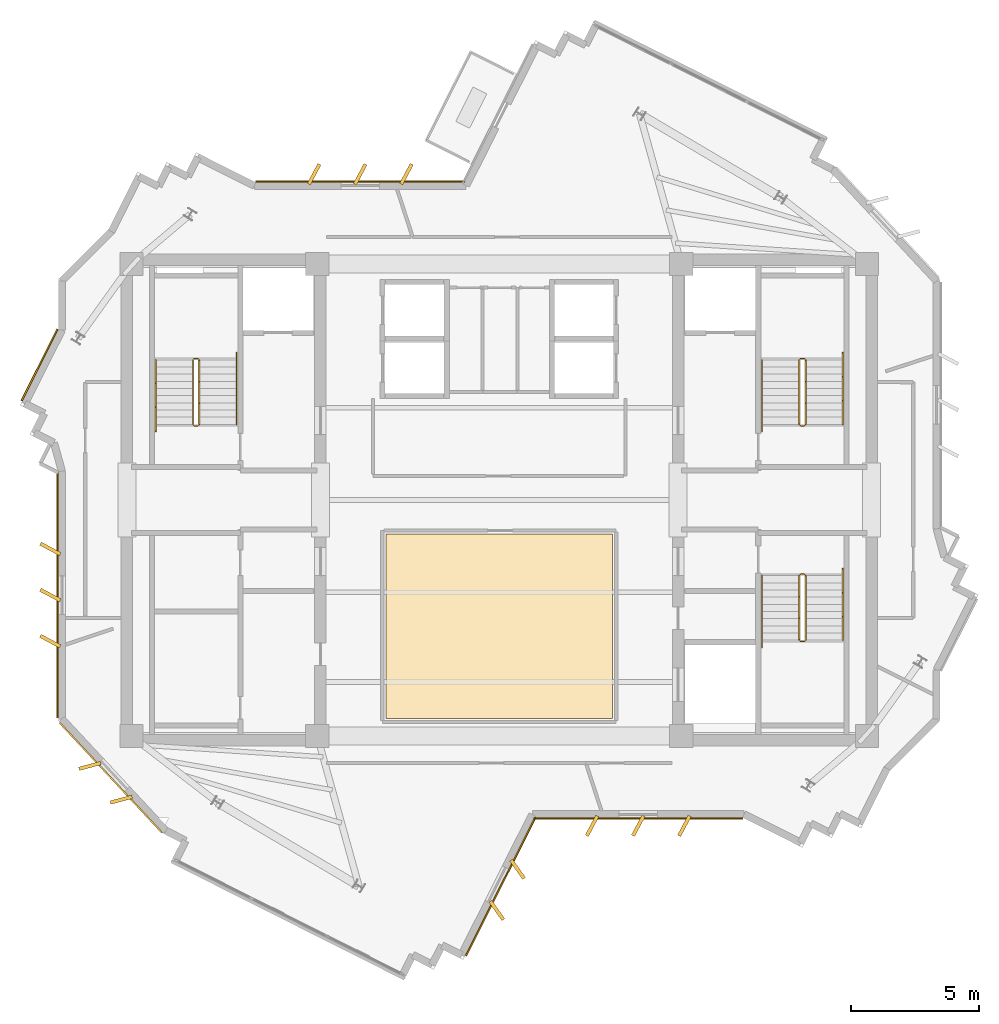
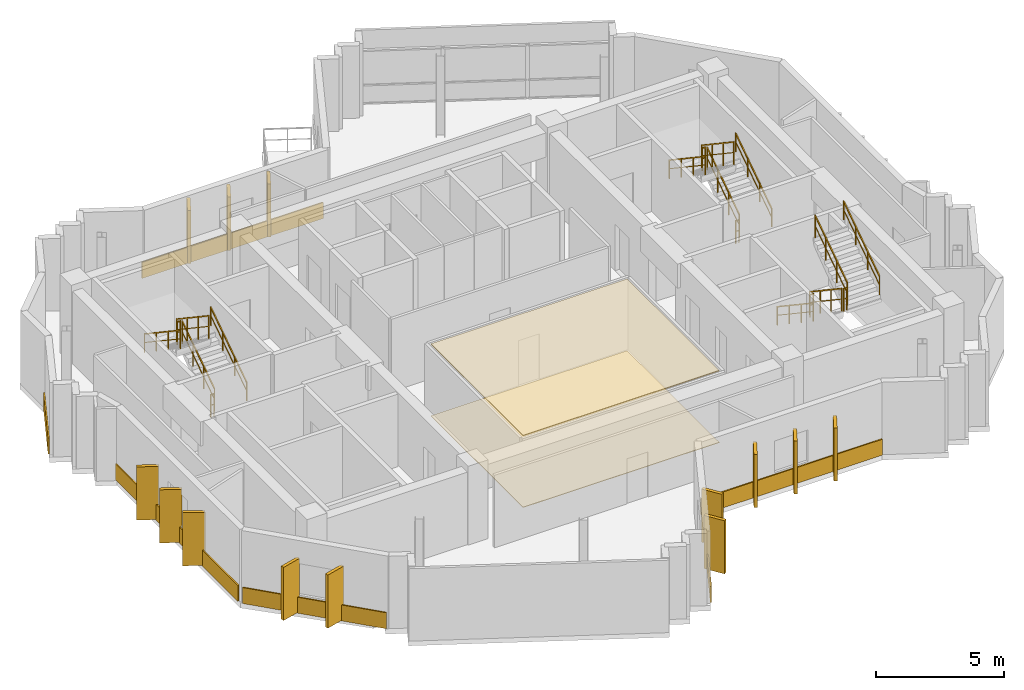
# One storey, part 10 of 11: 21 coverings, 18 railings.
"""IFC4 building model written with IfcOpenShell, lengths in metres."""

from ifc_helpers import new_model, si_unit, direction, frame, origin, origin_2d, place, context, subcontext, project, spatial, polyline, rectangle, outline, extrude, source, transform, mapped, material, layer, layer_set, type_object, element, save


model = new_model("IFC4")

# Units and contexts
model_context = context("Model", 3, precision=1e-05, world=origin(), true_north=direction((0.0, 1.0)))
body_context = subcontext(model_context, "Body", "Model", "MODEL_VIEW")
ifc_project = project(units=[si_unit("LENGTHUNIT", "METRE"), si_unit("AREAUNIT", "SQUARE_METRE"), si_unit("VOLUMEUNIT", "CUBIC_METRE"), si_unit("PLANEANGLEUNIT", "RADIAN"), si_unit("MASSUNIT", "GRAM", prefix="KILO")], contexts=[model_context])

# Site, building, storey
site_placement = place(None, origin())
site = spatial("IfcSite", under=ifc_project, at=site_placement, CompositionType="ELEMENT")
building_placement = place(site_placement, origin())
building = spatial("IfcBuilding", under=site, at=building_placement, Name="Zahravan Cultural Tower", CompositionType="ELEMENT")
storey_placement = place(building_placement, frame((0.0, 0.0, 357.300048828125)))
storey = spatial("IfcBuildingStorey", under=building, at=storey_placement, Name="L87", CompositionType="ELEMENT", Elevation=357.300048828125)

# Coverings
ifc_material_1 = material(Name="Acoustic mineral fibreboard")
ifc_layer_1 = layer(ifc_material_1, 0.0400390625)
ifc_layer_set_1 = layer_set([ifc_layer_1], Name="Acoustic mineral fibreboard")
covering_type_1 = type_object("IfcCoveringType", Name="COV-CEIL-AC20", PredefinedType="CEILING", material=ifc_layer_set_1)
covering_1_placement = place(storey_placement, frame((0.0, 0.0, 3.409912109375)))
element("IfcCovering", 1, at=covering_1_placement, inside=storey, type_object=covering_type_1, Name="L87 Acoustic Suspended Ceiling", PredefinedType="CEILING", context=body_context, shape_type="SweptSolid", body=[
    extrude(outline(polyline([(40.419921875, 25.669921875), (31.580078125, 25.669921875), (31.580078125, 18.47998046875), (40.419921875, 18.47998046875), (40.419921875, 25.669921875)])), origin(), (0.0, 0.0, 1.0), 0.0400390625),
])
ifc_material_2 = material(Name="Terrazzo flooring")
ifc_layer_2 = layer(ifc_material_2, 0.02490234375)
ifc_layer_set_2 = layer_set([ifc_layer_2], Name="Terrazzo flooring")
covering_type_2 = type_object("IfcCoveringType", Name="COV-FLR-TZ25", PredefinedType="FLOORING", material=ifc_layer_set_2)
covering_2_placement = place(storey_placement, origin())
element("IfcCovering", 2, at=covering_2_placement, inside=storey, type_object=covering_type_2, Name="L87 Polished Terrazzo Flooring", PredefinedType="FLOORING", context=body_context, shape_type="SweptSolid", body=[
    extrude(outline(polyline([(40.419921875, 25.669921875), (31.580078125, 25.669921875), (31.580078125, 18.47998046875), (40.419921875, 18.47998046875), (40.419921875, 25.669921875)])), origin(), (0.0, 0.0, 1.0), 0.02490234375),
])

# Railings
ifc_material_3 = material(Name="Steel ASTM A572 Grade 50", Category="steel")
railing_type_1 = type_object("IfcRailingType", Name="RL-STAIR-GRD1150", PredefinedType="BALUSTRADE", material=ifc_material_3)
railing_1_placement = place(storey_placement, frame((24.300048828125, 29.949951171875, 0.1875)))
element("IfcRailing", 3, at=railing_1_placement, inside=storey, type_object=railing_type_1, Name="L87 ST-W1 stair guard 1", PredefinedType="BALUSTRADE", context=body_context, shape_type="SweptSolid", body=[
    extrude(rectangle(XDim=0.05, YDim=0.05, at=origin_2d()), frame((0.0, 0.0, 1.0751953125), z_axis=(0.0, 0.830909170722, 0.55640807867), x_axis=(-1.0, 0.0, 0.0)), (0.0, 0.0, 1.0), 3.032958984375),
    extrude(rectangle(XDim=0.032, YDim=0.032, at=origin_2d()), frame((0.0, 0.0, 0.572021484375), z_axis=(0.0, 0.830909170722, 0.55640807867), x_axis=(-1.0, 0.0, 0.0)), (0.0, 0.0, 1.0), 3.032958984375),
    extrude(rectangle(XDim=0.04, YDim=0.04, at=origin_2d()), origin(), (0.0, 0.0, 1.0), 1.10009765625),
    extrude(rectangle(XDim=0.04, YDim=0.04, at=origin_2d()), frame((0.0, 0.840087890625, 0.5625)), (0.0, 0.0, 1.0), 1.10009765625),
    extrude(rectangle(XDim=0.04, YDim=0.04, at=origin_2d()), frame((0.0, 1.679931640625, 1.125)), (0.0, 0.0, 1.0), 1.10009765625),
    extrude(rectangle(XDim=0.04, YDim=0.04, at=origin_2d()), frame((0.0, 2.52001953125, 1.6875)), (0.0, 0.0, 1.0), 1.10009765625),
])
railing_2_placement = place(storey_placement, frame((24.25, 32.52001953125, 1.875)))
element("IfcRailing", 4, at=railing_2_placement, inside=storey, type_object=railing_type_1, Name="L87 ST-W1 stair guard 2", PredefinedType="BALUSTRADE", context=body_context, shape_type="SweptSolid", body=[
    extrude(rectangle(XDim=0.05, YDim=0.05, at=origin_2d()), frame((0.0, 0.0, 1.0751953125), z_axis=(-1.0, 0.0, 0.0), x_axis=(0.0, -1.0, 0.0)), (0.0, 0.0, 1.0), 0.14990234375),
    extrude(rectangle(XDim=0.032, YDim=0.032, at=origin_2d()), frame((0.0, 0.0, 0.572021484375), z_axis=(-1.0, 0.0, 0.0), x_axis=(0.0, -1.0, 0.0)), (0.0, 0.0, 1.0), 0.14990234375),
    extrude(rectangle(XDim=0.04, YDim=0.04, at=origin_2d()), origin(), (0.0, 0.0, 1.0), 1.10009765625),
    extrude(rectangle(XDim=0.04, YDim=0.04, at=origin_2d()), frame((-0.14990234375, 0.0, 0.0)), (0.0, 0.0, 1.0), 1.10009765625),
])
railing_3_placement = place(storey_placement, frame((24.050048828125, 32.469970703125, 2.0625)))
element("IfcRailing", 5, at=railing_3_placement, inside=storey, type_object=railing_type_1, Name="L87 ST-W1 stair guard 3", PredefinedType="BALUSTRADE", context=body_context, shape_type="SweptSolid", body=[
    extrude(rectangle(XDim=0.05, YDim=0.05, at=origin_2d()), frame((0.0, 0.0, 1.0751953125), z_axis=(0.0, -0.830909170722, 0.55640807867), x_axis=(1.0, 0.0, 0.0)), (0.0, 0.0, 1.0), 3.032958984375),
    extrude(rectangle(XDim=0.032, YDim=0.032, at=origin_2d()), frame((0.0, 0.0, 0.572021484375), z_axis=(0.0, -0.830909170722, 0.55640807867), x_axis=(1.0, 0.0, 0.0)), (0.0, 0.0, 1.0), 3.032958984375),
    extrude(rectangle(XDim=0.04, YDim=0.04, at=origin_2d()), origin(), (0.0, 0.0, 1.0), 1.10009765625),
    extrude(rectangle(XDim=0.04, YDim=0.04, at=origin_2d()), frame((0.0, -0.840087890625, 0.5625)), (0.0, 0.0, 1.0), 1.10009765625),
    extrude(rectangle(XDim=0.04, YDim=0.04, at=origin_2d()), frame((0.0, -1.679931640625, 1.125)), (0.0, 0.0, 1.0), 1.10009765625),
    extrude(rectangle(XDim=0.04, YDim=0.04, at=origin_2d()), frame((0.0, -2.52001953125, 1.6875)), (0.0, 0.0, 1.0), 1.10009765625),
])
railing_4_placement = place(storey_placement, frame((24.25, 29.89990234375, 0.0)))
element("IfcRailing", 6, at=railing_4_placement, inside=storey, type_object=railing_type_1, Name="L87 ST-W1 stair guard 4", PredefinedType="BALUSTRADE", context=body_context, shape_type="SweptSolid", body=[
    extrude(rectangle(XDim=0.05, YDim=0.05, at=origin_2d()), frame((0.0, 0.0, 1.0751953125), z_axis=(-1.0, 0.0, 0.0), x_axis=(0.0, -1.0, 0.0)), (0.0, 0.0, 1.0), 0.14990234375),
    extrude(rectangle(XDim=0.032, YDim=0.032, at=origin_2d()), frame((0.0, 0.0, 0.572021484375), z_axis=(-1.0, 0.0, 0.0), x_axis=(0.0, -1.0, 0.0)), (0.0, 0.0, 1.0), 0.14990234375),
    extrude(rectangle(XDim=0.04, YDim=0.04, at=origin_2d()), origin(), (0.0, 0.0, 1.0), 1.10009765625),
    extrude(rectangle(XDim=0.04, YDim=0.04, at=origin_2d()), frame((-0.14990234375, 0.0, 0.0)), (0.0, 0.0, 1.0), 1.10009765625),
])
railing_5_placement = place(storey_placement, frame((47.949951171875, 29.949951171875, 0.1875)))
element("IfcRailing", 7, at=railing_5_placement, inside=storey, type_object=railing_type_1, Name="L87 ST-E1 stair guard 1", PredefinedType="BALUSTRADE", context=body_context, shape_type="SweptSolid", body=[
    extrude(rectangle(XDim=0.05, YDim=0.05, at=origin_2d()), frame((0.0, 0.0, 1.0751953125), z_axis=(0.0, 0.830909170722, 0.55640807867), x_axis=(-1.0, 0.0, 0.0)), (0.0, 0.0, 1.0), 3.032958984375),
    extrude(rectangle(XDim=0.032, YDim=0.032, at=origin_2d()), frame((0.0, 0.0, 0.572021484375), z_axis=(0.0, 0.830909170722, 0.55640807867), x_axis=(-1.0, 0.0, 0.0)), (0.0, 0.0, 1.0), 3.032958984375),
    extrude(rectangle(XDim=0.04, YDim=0.04, at=origin_2d()), origin(), (0.0, 0.0, 1.0), 1.10009765625),
    extrude(rectangle(XDim=0.04, YDim=0.04, at=origin_2d()), frame((0.0, 0.840087890625, 0.5625)), (0.0, 0.0, 1.0), 1.10009765625),
    extrude(rectangle(XDim=0.04, YDim=0.04, at=origin_2d()), frame((0.0, 1.679931640625, 1.125)), (0.0, 0.0, 1.0), 1.10009765625),
    extrude(rectangle(XDim=0.04, YDim=0.04, at=origin_2d()), frame((0.0, 2.52001953125, 1.6875)), (0.0, 0.0, 1.0), 1.10009765625),
])
railing_6_placement = place(storey_placement, frame((47.89990234375, 32.52001953125, 1.875)))
element("IfcRailing", 8, at=railing_6_placement, inside=storey, type_object=railing_type_1, Name="L87 ST-E1 stair guard 2", PredefinedType="BALUSTRADE", context=body_context, shape_type="SweptSolid", body=[
    extrude(rectangle(XDim=0.05, YDim=0.05, at=origin_2d()), frame((0.0, 0.0, 1.0751953125), z_axis=(-1.0, 0.0, 0.0), x_axis=(0.0, -1.0, 0.0)), (0.0, 0.0, 1.0), 0.14990234375),
    extrude(rectangle(XDim=0.032, YDim=0.032, at=origin_2d()), frame((0.0, 0.0, 0.572021484375), z_axis=(-1.0, 0.0, 0.0), x_axis=(0.0, -1.0, 0.0)), (0.0, 0.0, 1.0), 0.14990234375),
    extrude(rectangle(XDim=0.04, YDim=0.04, at=origin_2d()), origin(), (0.0, 0.0, 1.0), 1.10009765625),
    extrude(rectangle(XDim=0.04, YDim=0.04, at=origin_2d()), frame((-0.14990234375, 0.0, 0.0)), (0.0, 0.0, 1.0), 1.10009765625),
])
railing_7_placement = place(storey_placement, frame((47.699951171875, 32.469970703125, 2.0625)))
element("IfcRailing", 9, at=railing_7_placement, inside=storey, type_object=railing_type_1, Name="L87 ST-E1 stair guard 3", PredefinedType="BALUSTRADE", context=body_context, shape_type="SweptSolid", body=[
    extrude(rectangle(XDim=0.05, YDim=0.05, at=origin_2d()), frame((0.0, 0.0, 1.0751953125), z_axis=(0.0, -0.830909170722, 0.55640807867), x_axis=(1.0, 0.0, 0.0)), (0.0, 0.0, 1.0), 3.032958984375),
    extrude(rectangle(XDim=0.032, YDim=0.032, at=origin_2d()), frame((0.0, 0.0, 0.572021484375), z_axis=(0.0, -0.830909170722, 0.55640807867), x_axis=(1.0, 0.0, 0.0)), (0.0, 0.0, 1.0), 3.032958984375),
    extrude(rectangle(XDim=0.04, YDim=0.04, at=origin_2d()), origin(), (0.0, 0.0, 1.0), 1.10009765625),
    extrude(rectangle(XDim=0.04, YDim=0.04, at=origin_2d()), frame((0.0, -0.840087890625, 0.5625)), (0.0, 0.0, 1.0), 1.10009765625),
    extrude(rectangle(XDim=0.04, YDim=0.04, at=origin_2d()), frame((0.0, -1.679931640625, 1.125)), (0.0, 0.0, 1.0), 1.10009765625),
    extrude(rectangle(XDim=0.04, YDim=0.04, at=origin_2d()), frame((0.0, -2.52001953125, 1.6875)), (0.0, 0.0, 1.0), 1.10009765625),
])
railing_8_placement = place(storey_placement, frame((47.89990234375, 29.89990234375, 0.0)))
element("IfcRailing", 10, at=railing_8_placement, inside=storey, type_object=railing_type_1, Name="L87 ST-E1 stair guard 4", PredefinedType="BALUSTRADE", context=body_context, shape_type="SweptSolid", body=[
    extrude(rectangle(XDim=0.05, YDim=0.05, at=origin_2d()), frame((0.0, 0.0, 1.0751953125), z_axis=(-1.0, 0.0, 0.0), x_axis=(0.0, -1.0, 0.0)), (0.0, 0.0, 1.0), 0.14990234375),
    extrude(rectangle(XDim=0.032, YDim=0.032, at=origin_2d()), frame((0.0, 0.0, 0.572021484375), z_axis=(-1.0, 0.0, 0.0), x_axis=(0.0, -1.0, 0.0)), (0.0, 0.0, 1.0), 0.14990234375),
    extrude(rectangle(XDim=0.04, YDim=0.04, at=origin_2d()), origin(), (0.0, 0.0, 1.0), 1.10009765625),
    extrude(rectangle(XDim=0.04, YDim=0.04, at=origin_2d()), frame((-0.14990234375, 0.0, 0.0)), (0.0, 0.0, 1.0), 1.10009765625),
])
railing_9_placement = place(storey_placement, frame((47.699951171875, 24.050048828125, 0.1875)))
element("IfcRailing", 11, at=railing_9_placement, inside=storey, type_object=railing_type_1, Name="L87 ST-E2 stair guard 1", PredefinedType="BALUSTRADE", context=body_context, shape_type="SweptSolid", body=[
    extrude(rectangle(XDim=0.05, YDim=0.05, at=origin_2d()), frame((0.0, 0.0, 1.0751953125), z_axis=(0.0, -0.830909170722, 0.55640807867), x_axis=(1.0, 0.0, 0.0)), (0.0, 0.0, 1.0), 3.032958984375),
    extrude(rectangle(XDim=0.032, YDim=0.032, at=origin_2d()), frame((0.0, 0.0, 0.572021484375), z_axis=(0.0, -0.830909170722, 0.55640807867), x_axis=(1.0, 0.0, 0.0)), (0.0, 0.0, 1.0), 3.032958984375),
    extrude(rectangle(XDim=0.04, YDim=0.04, at=origin_2d()), origin(), (0.0, 0.0, 1.0), 1.10009765625),
    extrude(rectangle(XDim=0.04, YDim=0.04, at=origin_2d()), frame((0.0, -0.840087890625, 0.5625)), (0.0, 0.0, 1.0), 1.10009765625),
    extrude(rectangle(XDim=0.04, YDim=0.04, at=origin_2d()), frame((0.0, -1.679931640625, 1.125)), (0.0, 0.0, 1.0), 1.10009765625),
    extrude(rectangle(XDim=0.04, YDim=0.04, at=origin_2d()), frame((0.0, -2.52001953125, 1.6875)), (0.0, 0.0, 1.0), 1.10009765625),
])
railing_10_placement = place(storey_placement, frame((47.75, 21.47998046875, 1.875)))
element("IfcRailing", 12, at=railing_10_placement, inside=storey, type_object=railing_type_1, Name="L87 ST-E2 stair guard 2", PredefinedType="BALUSTRADE", context=body_context, shape_type="SweptSolid", body=[
    extrude(rectangle(XDim=0.05, YDim=0.05, at=origin_2d()), frame((0.0, 0.0, 1.0751953125), z_axis=(1.0, 0.0, 0.0), x_axis=(0.0, 1.0, 0.0)), (0.0, 0.0, 1.0), 0.14990234375),
    extrude(rectangle(XDim=0.032, YDim=0.032, at=origin_2d()), frame((0.0, 0.0, 0.572021484375), z_axis=(1.0, 0.0, 0.0), x_axis=(0.0, 1.0, 0.0)), (0.0, 0.0, 1.0), 0.14990234375),
    extrude(rectangle(XDim=0.04, YDim=0.04, at=origin_2d()), origin(), (0.0, 0.0, 1.0), 1.10009765625),
    extrude(rectangle(XDim=0.04, YDim=0.04, at=origin_2d()), frame((0.14990234375, 0.0, 0.0)), (0.0, 0.0, 1.0), 1.10009765625),
])
railing_11_placement = place(storey_placement, frame((47.949951171875, 21.530029296875, 2.0625)))
element("IfcRailing", 13, at=railing_11_placement, inside=storey, type_object=railing_type_1, Name="L87 ST-E2 stair guard 3", PredefinedType="BALUSTRADE", context=body_context, shape_type="SweptSolid", body=[
    extrude(rectangle(XDim=0.05, YDim=0.05, at=origin_2d()), frame((0.0, 0.0, 1.0751953125), z_axis=(0.0, 0.830909170722, 0.55640807867), x_axis=(-1.0, 0.0, 0.0)), (0.0, 0.0, 1.0), 3.032958984375),
    extrude(rectangle(XDim=0.032, YDim=0.032, at=origin_2d()), frame((0.0, 0.0, 0.572021484375), z_axis=(0.0, 0.830909170722, 0.55640807867), x_axis=(-1.0, 0.0, 0.0)), (0.0, 0.0, 1.0), 3.032958984375),
    extrude(rectangle(XDim=0.04, YDim=0.04, at=origin_2d()), origin(), (0.0, 0.0, 1.0), 1.10009765625),
    extrude(rectangle(XDim=0.04, YDim=0.04, at=origin_2d()), frame((0.0, 0.840087890625, 0.5625)), (0.0, 0.0, 1.0), 1.10009765625),
    extrude(rectangle(XDim=0.04, YDim=0.04, at=origin_2d()), frame((0.0, 1.679931640625, 1.125)), (0.0, 0.0, 1.0), 1.10009765625),
    extrude(rectangle(XDim=0.04, YDim=0.04, at=origin_2d()), frame((0.0, 2.52001953125, 1.6875)), (0.0, 0.0, 1.0), 1.10009765625),
])
railing_12_placement = place(storey_placement, frame((47.75, 24.10009765625, 0.0)))
element("IfcRailing", 14, at=railing_12_placement, inside=storey, type_object=railing_type_1, Name="L87 ST-E2 stair guard 4", PredefinedType="BALUSTRADE", context=body_context, shape_type="SweptSolid", body=[
    extrude(rectangle(XDim=0.05, YDim=0.05, at=origin_2d()), frame((0.0, 0.0, 1.0751953125), z_axis=(1.0, 0.0, 0.0), x_axis=(0.0, 1.0, 0.0)), (0.0, 0.0, 1.0), 0.14990234375),
    extrude(rectangle(XDim=0.032, YDim=0.032, at=origin_2d()), frame((0.0, 0.0, 0.572021484375), z_axis=(1.0, 0.0, 0.0), x_axis=(0.0, 1.0, 0.0)), (0.0, 0.0, 1.0), 0.14990234375),
    extrude(rectangle(XDim=0.04, YDim=0.04, at=origin_2d()), origin(), (0.0, 0.0, 1.0), 1.10009765625),
    extrude(rectangle(XDim=0.04, YDim=0.04, at=origin_2d()), frame((0.14990234375, 0.0, 0.0)), (0.0, 0.0, 1.0), 1.10009765625),
])
railing_type_2 = type_object("IfcRailingType", Name="RL-STAIR-HR900", PredefinedType="HANDRAIL", material=ifc_material_3)
railing_13_placement = place(storey_placement, frame((25.75, 29.949951171875, 0.1875)))
element("IfcRailing", 15, at=railing_13_placement, inside=storey, type_object=railing_type_2, Name="L87 ST-W1 stair handrail 1", PredefinedType="HANDRAIL", context=body_context, shape_type="SweptSolid", body=[
    extrude(rectangle(XDim=0.05, YDim=0.05, at=origin_2d()), frame((0.0, 0.0, 0.875), z_axis=(0.0, 0.830911662861, 0.55640435703), x_axis=(-1.0, 0.0, 0.0)), (0.0, 0.0, 1.0), 3.369873046875),
    extrude(rectangle(XDim=0.032, YDim=0.032, at=origin_2d()), frame((0.0, 0.0, 0.468017578125), z_axis=(0.0, 0.830911662861, 0.55640435703), x_axis=(-1.0, 0.0, 0.0)), (0.0, 0.0, 1.0), 3.369873046875),
    extrude(rectangle(XDim=0.04, YDim=0.04, at=origin_2d()), origin(), (0.0, 0.0, 1.0), 0.89990234375),
    extrude(rectangle(XDim=0.04, YDim=0.04, at=origin_2d()), frame((0.0, 0.933349609375, 0.625)), (0.0, 0.0, 1.0), 0.89990234375),
    extrude(rectangle(XDim=0.04, YDim=0.04, at=origin_2d()), frame((0.0, 1.86669921875, 1.25)), (0.0, 0.0, 1.0), 0.89990234375),
    extrude(rectangle(XDim=0.04, YDim=0.04, at=origin_2d()), frame((0.0, 2.800048828125, 1.875)), (0.0, 0.0, 1.0), 0.89990234375),
])
railing_14_placement = place(storey_placement, frame((22.60009765625, 32.469970703125, 2.0625)))
element("IfcRailing", 16, at=railing_14_placement, inside=storey, type_object=railing_type_2, Name="L87 ST-W1 stair handrail 2", PredefinedType="HANDRAIL", context=body_context, shape_type="SweptSolid", body=[
    extrude(rectangle(XDim=0.05, YDim=0.05, at=origin_2d()), frame((0.0, 0.0, 0.875), z_axis=(0.0, -0.830911662861, 0.55640435703), x_axis=(1.0, 0.0, 0.0)), (0.0, 0.0, 1.0), 3.369873046875),
    extrude(rectangle(XDim=0.032, YDim=0.032, at=origin_2d()), frame((0.0, 0.0, 0.468017578125), z_axis=(0.0, -0.830911662861, 0.55640435703), x_axis=(1.0, 0.0, 0.0)), (0.0, 0.0, 1.0), 3.369873046875),
    extrude(rectangle(XDim=0.04, YDim=0.04, at=origin_2d()), origin(), (0.0, 0.0, 1.0), 0.89990234375),
    extrude(rectangle(XDim=0.04, YDim=0.04, at=origin_2d()), frame((0.0, -0.933349609375, 0.625)), (0.0, 0.0, 1.0), 0.89990234375),
    extrude(rectangle(XDim=0.04, YDim=0.04, at=origin_2d()), frame((0.0, -1.86669921875, 1.25)), (0.0, 0.0, 1.0), 0.89990234375),
    extrude(rectangle(XDim=0.04, YDim=0.04, at=origin_2d()), frame((0.0, -2.800048828125, 1.875)), (0.0, 0.0, 1.0), 0.89990234375),
])
railing_15_placement = place(storey_placement, frame((49.39990234375, 29.949951171875, 0.1875)))
element("IfcRailing", 17, at=railing_15_placement, inside=storey, type_object=railing_type_2, Name="L87 ST-E1 stair handrail 1", PredefinedType="HANDRAIL", context=body_context, shape_type="SweptSolid", body=[
    extrude(rectangle(XDim=0.05, YDim=0.05, at=origin_2d()), frame((0.0, 0.0, 0.875), z_axis=(0.0, 0.830911662861, 0.55640435703), x_axis=(-1.0, 0.0, 0.0)), (0.0, 0.0, 1.0), 3.369873046875),
    extrude(rectangle(XDim=0.032, YDim=0.032, at=origin_2d()), frame((0.0, 0.0, 0.468017578125), z_axis=(0.0, 0.830911662861, 0.55640435703), x_axis=(-1.0, 0.0, 0.0)), (0.0, 0.0, 1.0), 3.369873046875),
    extrude(rectangle(XDim=0.04, YDim=0.04, at=origin_2d()), origin(), (0.0, 0.0, 1.0), 0.89990234375),
    extrude(rectangle(XDim=0.04, YDim=0.04, at=origin_2d()), frame((0.0, 0.933349609375, 0.625)), (0.0, 0.0, 1.0), 0.89990234375),
    extrude(rectangle(XDim=0.04, YDim=0.04, at=origin_2d()), frame((0.0, 1.86669921875, 1.25)), (0.0, 0.0, 1.0), 0.89990234375),
    extrude(rectangle(XDim=0.04, YDim=0.04, at=origin_2d()), frame((0.0, 2.800048828125, 1.875)), (0.0, 0.0, 1.0), 0.89990234375),
])
for number, where, name in (
    (18, (46.25, 32.469970703125, 2.0625), "L87 ST-E1 stair handrail 2"),
    (19, (46.25, 24.050048828125, 0.1875), "L87 ST-E2 stair handrail 1"),
):
    element("IfcRailing", number, at=place(storey_placement, frame(where)), inside=storey, type_object=railing_type_2, Name=name, PredefinedType="HANDRAIL", context=body_context, shape_type="SweptSolid", body=[
        extrude(rectangle(XDim=0.05, YDim=0.05, at=origin_2d()), frame((0.0, 0.0, 0.875), z_axis=(0.0, -0.830911662861, 0.55640435703), x_axis=(1.0, 0.0, 0.0)), (0.0, 0.0, 1.0), 3.369873046875),
        extrude(rectangle(XDim=0.032, YDim=0.032, at=origin_2d()), frame((0.0, 0.0, 0.468017578125), z_axis=(0.0, -0.830911662861, 0.55640435703), x_axis=(1.0, 0.0, 0.0)), (0.0, 0.0, 1.0), 3.369873046875),
        extrude(rectangle(XDim=0.04, YDim=0.04, at=origin_2d()), origin(), (0.0, 0.0, 1.0), 0.89990234375),
        extrude(rectangle(XDim=0.04, YDim=0.04, at=origin_2d()), frame((0.0, -0.933349609375, 0.625)), (0.0, 0.0, 1.0), 0.89990234375),
        extrude(rectangle(XDim=0.04, YDim=0.04, at=origin_2d()), frame((0.0, -1.86669921875, 1.25)), (0.0, 0.0, 1.0), 0.89990234375),
        extrude(rectangle(XDim=0.04, YDim=0.04, at=origin_2d()), frame((0.0, -2.800048828125, 1.875)), (0.0, 0.0, 1.0), 0.89990234375),
    ])
railing_16_placement = place(storey_placement, frame((49.39990234375, 21.530029296875, 2.0625)))
element("IfcRailing", 20, at=railing_16_placement, inside=storey, type_object=railing_type_2, Name="L87 ST-E2 stair handrail 2", PredefinedType="HANDRAIL", context=body_context, shape_type="SweptSolid", body=[
    extrude(rectangle(XDim=0.05, YDim=0.05, at=origin_2d()), frame((0.0, 0.0, 0.875), z_axis=(0.0, 0.830911662861, 0.55640435703), x_axis=(-1.0, 0.0, 0.0)), (0.0, 0.0, 1.0), 3.369873046875),
    extrude(rectangle(XDim=0.032, YDim=0.032, at=origin_2d()), frame((0.0, 0.0, 0.468017578125), z_axis=(0.0, 0.830911662861, 0.55640435703), x_axis=(-1.0, 0.0, 0.0)), (0.0, 0.0, 1.0), 3.369873046875),
    extrude(rectangle(XDim=0.04, YDim=0.04, at=origin_2d()), origin(), (0.0, 0.0, 1.0), 0.89990234375),
    extrude(rectangle(XDim=0.04, YDim=0.04, at=origin_2d()), frame((0.0, 0.933349609375, 0.625)), (0.0, 0.0, 1.0), 0.89990234375),
    extrude(rectangle(XDim=0.04, YDim=0.04, at=origin_2d()), frame((0.0, 1.86669921875, 1.25)), (0.0, 0.0, 1.0), 0.89990234375),
    extrude(rectangle(XDim=0.04, YDim=0.04, at=origin_2d()), frame((0.0, 2.800048828125, 1.875)), (0.0, 0.0, 1.0), 0.89990234375),
])

# Coverings
ifc_material_4 = material(Name="Terracotta ceramic cladding", Category="masonry")
ifc_layer_3 = layer(ifc_material_4, 0.06005859375)
ifc_layer_set_3 = layer_set([ifc_layer_3], Name="Terracotta ceramic cladding")
covering_type_3 = type_object("IfcCoveringType", Name="COV-CLAD-TC60", PredefinedType="CLADDING", material=ifc_layer_set_3)
shared_shape_1 = source(origin(), body_context, "Body", "SweptSolid", [
    extrude(rectangle(XDim=0.8798828125, YDim=0.139892578125, at=origin_2d()), origin(), (0.0, 0.0, 1.0), 2.530029296875),
])
for number, where, z_axis, x_axis, name in (
    (21, (43.22119140625, 14.2900390625, 0.0498046875), (0.0, 0.0, 1.0), (-0.469471562786, -0.882947592859, 0.0), "L87 Herringbone Terracotta Fin 06"),
    (22, (41.42138671875, 14.2900390625, 0.0498046875), (0.0, 0.0, 1.0), (-0.469471562786, -0.882947592859, 0.0), "L87 Herringbone Terracotta Fin 07"),
    (23, (39.621337890625, 14.2900390625, 0.0498046875), (0.0, 0.0, 1.0), (-0.469471562786, -0.882947592859, 0.0), "L87 Herringbone Terracotta Fin 08"),
    (24, (36.71435546875, 12.596435546875, 0.0498046875), (0.0, 0.0, 1.0), (0.577843380007, -0.816147675474, 0.0), "L87 Herringbone Terracotta Fin 09"),
    (25, (35.905517578125, 10.98828125, 0.0498046875), (0.0, 0.0, 1.0), (0.577843380007, -0.816147675474, 0.0), "L87 Herringbone Terracotta Fin 10"),
    (26, (21.256591796875, 15.31005859375, 0.0498046875), (0.0, 0.0, 1.0), (-0.966110785991, -0.25812777687, 0.0), "L87 Herringbone Terracotta Fin 11"),
    (27, (20.02978515625, 16.627197265625, 0.0498046875), (0.0, 0.0, 1.0), (-0.966110785991, -0.25812777687, 0.0), "L87 Herringbone Terracotta Fin 12"),
    (28, (18.489990234375, 21.49169921875, 0.0498046875), (0.0, 0.0, 1.0), (-0.882947592859, 0.469471562786, 0.0), "L87 Herringbone Terracotta Fin 13"),
    (29, (18.489990234375, 23.291748046875, 0.0498046875), (0.0, 0.0, 1.0), (-0.882947592859, 0.469471562786, 0.0), "L87 Herringbone Terracotta Fin 14"),
    (30, (18.489990234375, 25.091796875, 0.0498046875), (0.0, 0.0, 1.0), (-0.882947592859, 0.469471562786, 0.0), "L87 Herringbone Terracotta Fin 15"),
    (31, (28.77880859375, 39.7099609375, 0.0498046875), (0.0, 0.0, 1.0), (0.469471562786, 0.882947592859, 0.0), "L87 Herringbone Terracotta Fin 16"),
    (32, (30.57861328125, 39.7099609375, 0.0498046875), (0.0, 0.0, 1.0), (0.469471562786, 0.882947592859, 0.0), "L87 Herringbone Terracotta Fin 17"),
    (33, (32.378662109375, 39.7099609375, 0.0498046875), (0.0, 0.0, 1.0), (0.469471562786, 0.882947592859, 0.0), "L87 Herringbone Terracotta Fin 18"),
):
    element("IfcCovering", number, at=place(storey_placement, frame(where, z_axis=z_axis, x_axis=x_axis)), inside=storey, type_object=covering_type_3, Name=name, PredefinedType="CLADDING", context=body_context, shape_type="MappedRepresentation", body=[
        mapped(shared_shape_1, transform((0.0, 0.0, 0.0), x_axis=(1.0, 0.0, 0.0), y_axis=(0.0, 1.0, 0.0), z_axis=(0.0, 0.0, 1.0), scale=1.0)),
    ])
shared_shape_2 = source(origin(), body_context, "Body", "SweptSolid", [
    extrude(rectangle(XDim=6.04638671875, YDim=0.06005859375, at=origin_2d()), origin(), (0.0, 0.0, 1.0), 0.760009765625),
])
covering_3_placement = place(storey_placement, frame((36.055419921875, 11.92041015625, 0.02001953125), z_axis=(0.0, 0.0, 1.0), x_axis=(-0.44933459082, -0.893363546096, 0.0)))
element("IfcCovering", 34, at=covering_3_placement, inside=storey, type_object=covering_type_3, Name="L87 Terracotta Spandrel Cladding 24", PredefinedType="CLADDING", context=body_context, shape_type="MappedRepresentation", body=[
    mapped(shared_shape_2, transform((0.0, 0.0, 0.0), x_axis=(1.0, 0.0, 0.0), y_axis=(0.0, 1.0, 0.0), z_axis=(0.0, 0.0, 1.0), scale=1.0)),
])
shared_shape_3 = source(origin(), body_context, "Body", "SweptSolid", [
    extrude(rectangle(XDim=5.86474609375, YDim=0.06005859375, at=origin_2d()), origin(), (0.0, 0.0, 1.0), 0.760009765625),
])
covering_4_placement = place(storey_placement, frame((20.851806640625, 16.162841796875, 0.02001953125), z_axis=(0.0, 0.0, 1.0), x_axis=(-0.681474839761, 0.73184154212, 0.0)))
element("IfcCovering", 35, at=covering_4_placement, inside=storey, type_object=covering_type_3, Name="L87 Terracotta Spandrel Cladding 31", PredefinedType="CLADDING", context=body_context, shape_type="MappedRepresentation", body=[
    mapped(shared_shape_3, transform((0.0, 0.0, 0.0), x_axis=(1.0, 0.0, 0.0), y_axis=(0.0, 1.0, 0.0), z_axis=(0.0, 0.0, 1.0), scale=1.0)),
])
shared_shape_4 = source(origin(), body_context, "Body", "SweptSolid", [
    extrude(rectangle(XDim=9.5673828125, YDim=0.06005859375, at=origin_2d()), origin(), (0.0, 0.0, 1.0), 0.760009765625),
])
covering_5_placement = place(storey_placement, frame((18.77490234375, 23.291748046875, 0.02001953125), z_axis=(0.0, 0.0, 1.0), x_axis=(0.0, 1.0, 0.0)))
element("IfcCovering", 36, at=covering_5_placement, inside=storey, type_object=covering_type_3, Name="L87 Terracotta Spandrel Cladding 32", PredefinedType="CLADDING", context=body_context, shape_type="MappedRepresentation", body=[
    mapped(shared_shape_4, transform((0.0, 0.0, 0.0), x_axis=(1.0, 0.0, 0.0), y_axis=(0.0, 1.0, 0.0), z_axis=(0.0, 0.0, 1.0), scale=1.0)),
])
shared_shape_5 = source(origin(), body_context, "Body", "SweptSolid", [
    extrude(rectangle(XDim=3.117919921875, YDim=0.06005859375, at=origin_2d()), origin(), (0.0, 0.0, 1.0), 0.760009765625),
])
covering_6_placement = place(storey_placement, frame((18.069580078125, 32.26708984375, 0.02001953125), z_axis=(0.0, 0.0, 1.0), x_axis=(0.449318998616, 0.893371388328, 0.0)))
element("IfcCovering", 37, at=covering_6_placement, inside=storey, type_object=covering_type_3, Name="L87 Terracotta Spandrel Cladding 37", PredefinedType="CLADDING", context=body_context, shape_type="MappedRepresentation", body=[
    mapped(shared_shape_5, transform((0.0, 0.0, 0.0), x_axis=(1.0, 0.0, 0.0), y_axis=(0.0, 1.0, 0.0), z_axis=(0.0, 0.0, 1.0), scale=1.0)),
])
shared_shape_6 = source(origin(), body_context, "Body", "SweptSolid", [
    extrude(rectangle(XDim=8.1650390625, YDim=0.06005859375, at=origin_2d()), origin(), (0.0, 0.0, 1.0), 0.760009765625),
])
for number, where, z_axis, x_axis, name in (
    (38, (41.42138671875, 14.574951171875, 0.02001953125), (0.0, 0.0, 1.0), (-1.0, 0.0, 0.0), "L87 Terracotta Spandrel Cladding 23"),
    (39, (30.57861328125, 39.425048828125, 0.02001953125), (0.0, 0.0, 1.0), (1.0, 0.0, 0.0), "L87 Terracotta Spandrel Cladding 46"),
):
    element("IfcCovering", number, at=place(storey_placement, frame(where, z_axis=z_axis, x_axis=x_axis)), inside=storey, type_object=covering_type_3, Name=name, PredefinedType="CLADDING", context=body_context, shape_type="MappedRepresentation", body=[
        mapped(shared_shape_6, transform((0.0, 0.0, 0.0), x_axis=(1.0, 0.0, 0.0), y_axis=(0.0, 1.0, 0.0), z_axis=(0.0, 0.0, 1.0), scale=1.0)),
    ])

save(model, "model.ifc")
